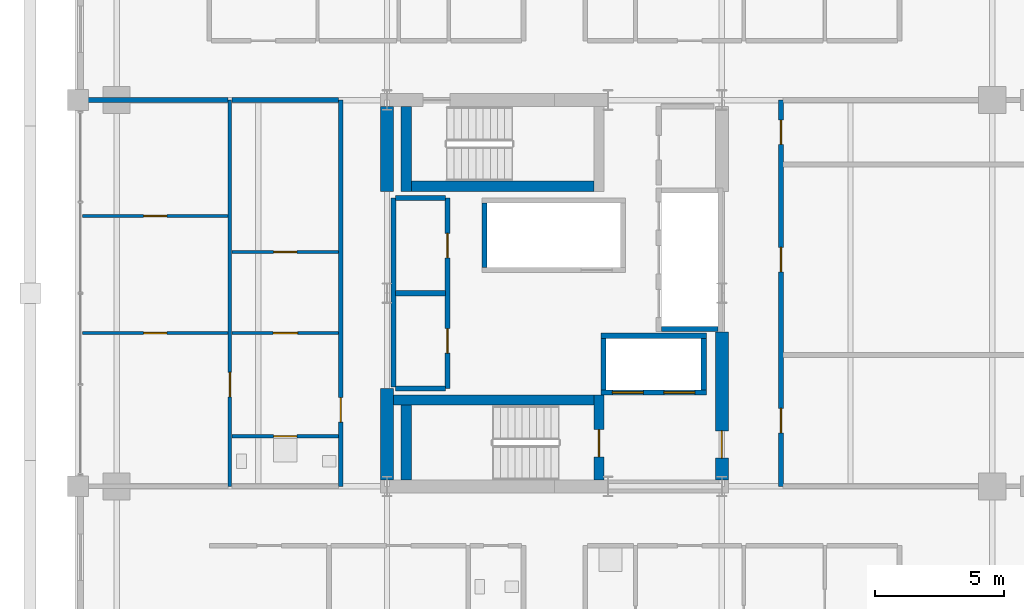
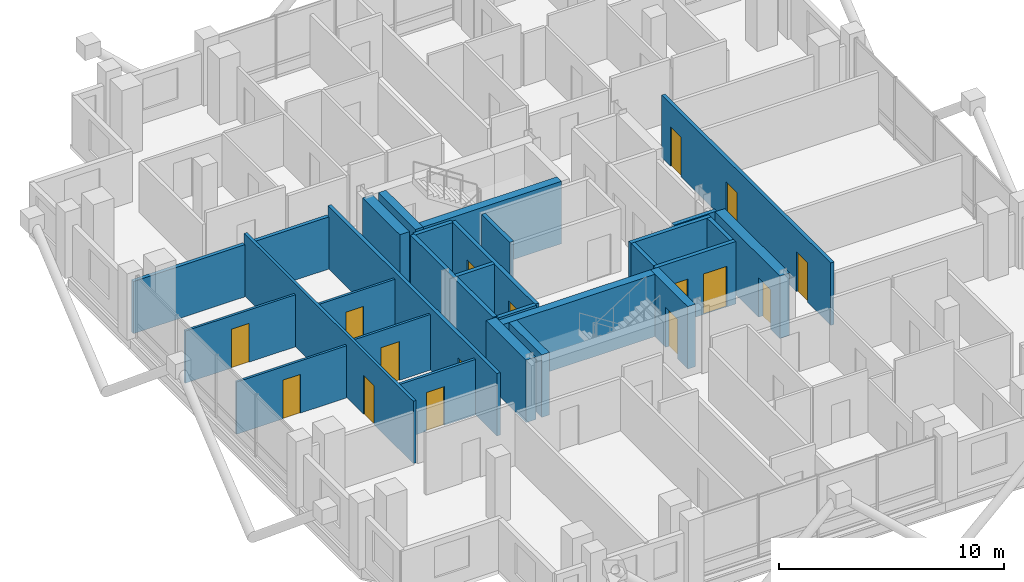
# One storey, part 19 of 24: 29 walls, 16 doors, 16 openings.
"""IFC4 building model written with IfcOpenShell, lengths in metres."""

from ifc_helpers import new_model, si_unit, direction, frame, frame_2d, origin, place, context, subcontext, project, spatial, rectangle, extrude, material, layer, layer_set, type_object, element, fill, save


model = new_model("IFC4")

# Units and contexts
model_context = context("Model", 3, precision=1e-05, world=origin(), true_north=direction((0.0, 1.0)))
body_context = subcontext(model_context, "Body", "Model", "MODEL_VIEW")
ifc_project = project(units=[si_unit("LENGTHUNIT", "METRE"), si_unit("AREAUNIT", "SQUARE_METRE"), si_unit("VOLUMEUNIT", "CUBIC_METRE"), si_unit("PLANEANGLEUNIT", "RADIAN"), si_unit("MASSUNIT", "GRAM", prefix="KILO")], contexts=[model_context])

# Site, building, storey
site_placement = place(None, origin())
site = spatial("IfcSite", under=ifc_project, at=site_placement, CompositionType="ELEMENT")
building_placement = place(site_placement, origin())
building = spatial("IfcBuilding", under=site, at=building_placement, Name="Barlavira Tower and Art Museum", CompositionType="ELEMENT")
storey_placement = place(building_placement, frame((0.0, 0.0, 183.60009765625)))
storey = spatial("IfcBuildingStorey", under=building, at=storey_placement, Name="L47", CompositionType="ELEMENT", Elevation=183.60009765625)

# Wall, opening, door
ifc_material_1 = material(Name="Gypsum acoustic stud partition", Category="gypsum")
ifc_layer_1 = layer(ifc_material_1, 0.1201171875, Name="Gypsum acoustic stud partition")
ifc_layer_set_1 = layer_set([ifc_layer_1], Name="Gypsum acoustic stud partition")
wall_type_1 = type_object("IfcWallType", Name="Apartment Internal Acoustic Partition 120", PredefinedType="PARTITIONING", material=ifc_layer_set_1)
wall_1_placement = place(storey_placement, frame((-18.320068359375, -1.550048828125, 0.0), z_axis=(0.0, 0.0, 1.0), x_axis=(1.0, 0.0, 0.0)))
wall_1 = element("IfcWall", 1, at=wall_1_placement, inside=storey, type_object=wall_type_1, Name="L47 Partition Wall 47", PredefinedType="PARTITIONING", context=body_context, shape_type="SweptSolid", body=[
    extrude(rectangle(XDim=5.64013671875, YDim=0.1201171875, at=frame_2d((2.820068359375, 0.0))), origin(), (0.0, 0.0, 1.0), 2.825927734375),
])
opening_1_placement = place(wall_1_placement, frame((2.3701171875, 0.0, 0.0)))
opening_1 = element("IfcOpeningElement", 2, at=opening_1_placement, cuts=wall_1, Name="Opening D-01", PredefinedType="OPENING", context=body_context, shape_type="SweptSolid", body=[
    extrude(rectangle(XDim=0.89990234375, YDim=2.10009765625, at=frame_2d((0.449951171875, 1.050048828125))), frame((0.0, 0.070068359375, 0.0), z_axis=(0.0, -1.0, 0.0), x_axis=(1.0, 0.0, 0.0)), (0.0, 0.0, 1.0), 0.14013671875),
])
ifc_material_2 = material(Name="Engineered coastal hardwood", Category="wood")
door_type_1 = type_object("IfcDoorType", Name="Internal Bedroom Timber Flush Door 900x2100", OperationType="NOTDEFINED", PredefinedType="DOOR", material=ifc_material_2)
door_1_placement = place(opening_1_placement, origin())
door_1 = element("IfcDoor", 3, at=door_1_placement, inside=storey, type_object=door_type_1, Name="Apartment W1 Bedroom 1 Door", OperationType="SINGLE_SWING_LEFT", OverallHeight=2.10009765625, OverallWidth=0.89990234375, PredefinedType="DOOR", context=body_context, shape_type="SweptSolid", body=[
    extrude(rectangle(XDim=0.89990234375, YDim=2.10009765625, at=frame_2d((0.449951171875, 1.050048828125))), frame((0.0, 0.02490234375, 0.0), z_axis=(0.0, -1.0, 0.0), x_axis=(1.0, 0.0, 0.0)), (0.0, 0.0, 1.0), 0.050048828125),
])
fill(opening_1, door_1)

wall_2_placement = place(storey_placement, frame((-12.52001953125, -1.550048828125, 0.0), z_axis=(0.0, 0.0, 1.0), x_axis=(1.0, 0.0, 0.0)))
wall_2 = element("IfcWall", 4, at=wall_2_placement, inside=storey, type_object=wall_type_1, Name="L47 Partition Wall 48", PredefinedType="PARTITIONING", context=body_context, shape_type="SweptSolid", body=[
    extrude(rectangle(XDim=4.14013671875, YDim=0.1201171875, at=frame_2d((2.070068359375, 0.0))), origin(), (0.0, 0.0, 1.0), 3.010986328125),
])
opening_2_placement = place(wall_2_placement, frame((1.594970703125, 0.0, 0.0)))
opening_2 = element("IfcOpeningElement", 5, at=opening_2_placement, cuts=wall_2, Name="Opening D-02", PredefinedType="OPENING", context=body_context, shape_type="SweptSolid", body=[
    extrude(rectangle(XDim=0.949951171875, YDim=2.10009765625, at=frame_2d((0.47509765625, 1.050048828125))), frame((0.0, 0.070068359375, 0.0), z_axis=(0.0, -1.0, 0.0), x_axis=(1.0, 0.0, 0.0)), (0.0, 0.0, 1.0), 0.14013671875),
])
door_type_2 = type_object("IfcDoorType", Name="Living and Salon Glazed-Leaf Door 950x2100", OperationType="NOTDEFINED", PredefinedType="DOOR", material=ifc_material_2)
door_2_placement = place(opening_2_placement, origin())
door_2 = element("IfcDoor", 6, at=door_2_placement, inside=storey, type_object=door_type_2, Name="Apartment W1 Kitchen Door", OperationType="SINGLE_SWING_RIGHT", OverallHeight=2.10009765625, OverallWidth=0.949951171875, PredefinedType="DOOR", context=body_context, shape_type="SweptSolid", body=[
    extrude(rectangle(XDim=0.949951171875, YDim=2.10009765625, at=frame_2d((0.47509765625, 1.050048828125))), frame((0.0, 0.02490234375, 0.0), z_axis=(0.0, -1.0, 0.0), x_axis=(1.0, 0.0, 0.0)), (0.0, 0.0, 1.0), 0.050048828125),
])
fill(opening_2, door_2)

wall_3_placement = place(storey_placement, frame((-12.52001953125, 1.60009765625, 0.0), z_axis=(0.0, 0.0, 1.0), x_axis=(1.0, 0.0, 0.0)))
wall_3 = element("IfcWall", 7, at=wall_3_placement, inside=storey, type_object=wall_type_1, Name="L47 Partition Wall 50", PredefinedType="PARTITIONING", context=body_context, shape_type="SweptSolid", body=[
    extrude(rectangle(XDim=4.14013671875, YDim=0.1201171875, at=frame_2d((2.070068359375, 0.0))), origin(), (0.0, 0.0, 1.0), 3.010986328125),
])
opening_3_placement = place(wall_3_placement, frame((1.6201171875, 0.0, 0.0)))
opening_3 = element("IfcOpeningElement", 8, at=opening_3_placement, cuts=wall_3, Name="Opening D-01", PredefinedType="OPENING", context=body_context, shape_type="SweptSolid", body=[
    extrude(rectangle(XDim=0.89990234375, YDim=2.10009765625, at=frame_2d((0.449951171875, 1.050048828125))), frame((0.0, 0.070068359375, 0.0), z_axis=(0.0, -1.0, 0.0), x_axis=(1.0, 0.0, 0.0)), (0.0, 0.0, 1.0), 0.14013671875),
])
door_3_placement = place(opening_3_placement, origin())
door_3 = element("IfcDoor", 9, at=door_3_placement, inside=storey, type_object=door_type_1, Name="Apartment W1 Walk-In Dressing Room Door", OperationType="SINGLE_SWING_LEFT", OverallHeight=2.10009765625, OverallWidth=0.89990234375, PredefinedType="DOOR", context=body_context, shape_type="SweptSolid", body=[
    extrude(rectangle(XDim=0.89990234375, YDim=2.10009765625, at=frame_2d((0.449951171875, 1.050048828125))), frame((0.0, 0.02490234375, 0.0), z_axis=(0.0, -1.0, 0.0), x_axis=(1.0, 0.0, 0.0)), (0.0, 0.0, 1.0), 0.050048828125),
])
fill(opening_3, door_3)

wall_4_placement = place(storey_placement, frame((-18.320068359375, 3.0, 0.0), z_axis=(0.0, 0.0, 1.0), x_axis=(1.0, 0.0, 0.0)))
wall_4 = element("IfcWall", 10, at=wall_4_placement, inside=storey, type_object=wall_type_1, Name="L47 Partition Wall 51", PredefinedType="PARTITIONING", context=body_context, shape_type="SweptSolid", body=[
    extrude(rectangle(XDim=5.64013671875, YDim=0.1201171875, at=frame_2d((2.820068359375, 0.0))), origin(), (0.0, 0.0, 1.0), 2.825927734375),
])
opening_4_placement = place(wall_4_placement, frame((2.3701171875, 0.0, 0.0)))
opening_4 = element("IfcOpeningElement", 11, at=opening_4_placement, cuts=wall_4, Name="Opening D-01", PredefinedType="OPENING", context=body_context, shape_type="SweptSolid", body=[
    extrude(rectangle(XDim=0.89990234375, YDim=2.10009765625, at=frame_2d((0.449951171875, 1.050048828125))), frame((0.0, 0.070068359375, 0.0), z_axis=(0.0, -1.0, 0.0), x_axis=(1.0, 0.0, 0.0)), (0.0, 0.0, 1.0), 0.14013671875),
])
door_4_placement = place(opening_4_placement, origin())
door_4 = element("IfcDoor", 12, at=door_4_placement, inside=storey, type_object=door_type_1, Name="Apartment W1 Bedroom 2 Door", OperationType="SINGLE_SWING_RIGHT", OverallHeight=2.10009765625, OverallWidth=0.89990234375, PredefinedType="DOOR", context=body_context, shape_type="SweptSolid", body=[
    extrude(rectangle(XDim=0.89990234375, YDim=2.10009765625, at=frame_2d((0.449951171875, 1.050048828125))), frame((0.0, 0.02490234375, 0.0), z_axis=(0.0, -1.0, 0.0), x_axis=(1.0, 0.0, 0.0)), (0.0, 0.0, 1.0), 0.050048828125),
])
fill(opening_4, door_4)

# Walls
ifc_material_3 = material(Name="Concrete C60", Category="concrete")
ifc_layer_2 = layer(ifc_material_3, 0.5, Name="Concrete C60")
ifc_layer_set_2 = layer_set([ifc_layer_2], Name="Concrete C60")
wall_type_2 = type_object("IfcWallType", Name="Core Structural Shear Wall 500 Concrete C60", PredefinedType="SHEAR", material=ifc_layer_set_2)
wall_5_placement = place(storey_placement, frame((-6.5, -7.25, 0.0), z_axis=(0.0, 0.0, 1.0), x_axis=(0.0, 1.0, 0.0)))
element("IfcWall", 13, at=wall_5_placement, inside=storey, type_object=wall_type_2, Name="L47 Core Shear Wall CS-W1", PredefinedType="SHEAR", context=body_context, shape_type="SweptSolid", body=[
    extrude(rectangle(XDim=3.550048828125, YDim=0.5, at=frame_2d((1.77490234375, 0.0))), origin(), (0.0, 0.0, 1.0), 3.3798828125),
])
wall_6_placement = place(storey_placement, frame((-6.5, 3.949951171875, 0.0), z_axis=(0.0, 0.0, 1.0), x_axis=(0.0, 1.0, 0.0)))
element("IfcWall", 14, at=wall_6_placement, inside=storey, type_object=wall_type_2, Name="L47 Core Shear Wall CS-W2", PredefinedType="SHEAR", context=body_context, shape_type="SweptSolid", body=[
    extrude(rectangle(XDim=3.300048828125, YDim=0.5, at=frame_2d((1.64990234375, 0.0))), origin(), (0.0, 0.0, 1.0), 3.3798828125),
])

# Wall, opening, door
wall_7_placement = place(storey_placement, frame((6.5, -7.25, 0.0), z_axis=(0.0, 0.0, 1.0), x_axis=(0.0, 1.0, 0.0)))
wall_7 = element("IfcWall", 15, at=wall_7_placement, inside=storey, type_object=wall_type_2, Name="L47 Core Shear Wall CS-E1", PredefinedType="SHEAR", context=body_context, shape_type="SweptSolid", body=[
    extrude(rectangle(XDim=5.75, YDim=0.5, at=frame_2d((2.875, 0.0))), origin(), (0.0, 0.0, 1.0), 3.3798828125),
])
opening_5_placement = place(wall_7_placement, frame((0.85009765625, 0.0, 0.0)))
opening_5 = element("IfcOpeningElement", 16, at=opening_5_placement, cuts=wall_7, Name="Opening FD-90", PredefinedType="OPENING", context=body_context, shape_type="SweptSolid", body=[
    extrude(rectangle(XDim=1.050048828125, YDim=2.14990234375, at=frame_2d((0.52490234375, 1.074951171875))), frame((0.0, 0.260009765625, 0.0), z_axis=(0.0, -1.0, 0.0), x_axis=(1.0, 0.0, 0.0)), (0.0, 0.0, 1.0), 0.52001953125),
])
ifc_material_4 = material(Name="Brushed stainless steel", Category="steel")
door_type_3 = type_object("IfcDoorType", Name="Stair and Refuge Fire Door 1050x2150 FD90S", OperationType="NOTDEFINED", PredefinedType="DOOR", material=ifc_material_4)
door_5_placement = place(opening_5_placement, origin())
door_5 = element("IfcDoor", 17, at=door_5_placement, inside=storey, type_object=door_type_3, Name="L47 Firefighting Lobby Entry Fire Door", OperationType="SINGLE_SWING_LEFT", OverallHeight=2.14990234375, OverallWidth=1.050048828125, PredefinedType="DOOR", context=body_context, shape_type="SweptSolid", body=[
    extrude(rectangle(XDim=1.050048828125, YDim=2.14990234375, at=frame_2d((0.52490234375, 1.074951171875))), frame((0.0, 0.02490234375, 0.0), z_axis=(0.0, -1.0, 0.0), x_axis=(1.0, 0.0, 0.0)), (0.0, 0.0, 1.0), 0.050048828125),
])
fill(opening_5, door_5)

# Walls
ifc_material_5 = material(Name="Autoclaved aerated concrete masonry", Category="masonry")
ifc_layer_3 = layer(ifc_material_5, 0.199951171875, Name="Autoclaved aerated concrete masonry")
ifc_layer_set_3 = layer_set([ifc_layer_3], Name="Autoclaved aerated concrete masonry")
wall_type_3 = type_object("IfcWallType", Name="Fire Compartment and Shaft Wall 200", PredefinedType="SOLIDWALL", material=ifc_layer_set_3)
wall_8_placement = place(storey_placement, frame((4.14990234375, -1.389892578125, 0.0), z_axis=(0.0, 0.0, 1.0), x_axis=(1.0, 0.0, 0.0)))
element("IfcWall", 18, at=wall_8_placement, inside=storey, type_object=wall_type_3, Name="L47 Mid-Rise Lift South Shaft Wall", PredefinedType="SOLIDWALL", context=body_context, shape_type="SweptSolid", body=[
    extrude(rectangle(XDim=2.2001953125, YDim=0.199951171875, at=frame_2d((1.10009765625, 0.0))), origin(), (0.0, 0.0, 1.0), 3.3798828125),
])
wall_9_placement = place(storey_placement, frame((-2.719970703125, 1.0, 0.0), z_axis=(0.0, 0.0, 1.0), x_axis=(0.0, 1.0, 0.0)))
element("IfcWall", 19, at=wall_9_placement, inside=storey, type_object=wall_type_3, Name="L47 High-Rise & Service Lift West Wall", PredefinedType="SOLIDWALL", context=body_context, shape_type="SweptSolid", body=[
    extrude(rectangle(XDim=2.5, YDim=0.199951171875, at=frame_2d((1.25, 0.0))), origin(), (0.0, 0.0, 1.0), 3.3798828125),
])

# Wall, openings, doors
wall_10_placement = place(storey_placement, frame((1.800048828125, -3.85009765625, 0.0), z_axis=(0.0, 0.0, 1.0), x_axis=(1.0, 0.0, 0.0)))
wall_10 = element("IfcWall", 20, at=wall_10_placement, inside=storey, type_object=wall_type_3, Name="L47 Firefighting Lift Front Shaft Wall", PredefinedType="SOLIDWALL", context=body_context, shape_type="SweptSolid", body=[
    extrude(rectangle(XDim=4.099853515625, YDim=0.199951171875, at=frame_2d((2.0498046875, 0.0))), origin(), (0.0, 0.0, 1.0), 3.3798828125),
])
opening_6_placement = place(wall_10_placement, frame((0.449951171875, 0.0, 0.0)))
opening_6 = element("IfcOpeningElement", 21, at=opening_6_placement, cuts=wall_10, Name="Opening LD-F", PredefinedType="OPENING", context=body_context, shape_type="SweptSolid", body=[
    extrude(rectangle(XDim=1.199951171875, YDim=2.199951171875, at=frame_2d((0.60009765625, 1.10009765625))), frame((0.0, 0.10986328125, 0.0), z_axis=(0.0, -1.0, 0.0), x_axis=(1.0, 0.0, 0.0)), (0.0, 0.0, 1.0), 0.219970703125),
])
opening_7_placement = place(wall_10_placement, frame((2.449951171875, 0.0, 0.0)))
opening_7 = element("IfcOpeningElement", 22, at=opening_7_placement, cuts=wall_10, Name="Opening LD-F", PredefinedType="OPENING", context=body_context, shape_type="SweptSolid", body=[
    extrude(rectangle(XDim=1.199951171875, YDim=2.199951171875, at=frame_2d((0.60009765625, 1.10009765625))), frame((0.0, 0.10986328125, 0.0), z_axis=(0.0, -1.0, 0.0), x_axis=(1.0, 0.0, 0.0)), (0.0, 0.0, 1.0), 0.219970703125),
])
door_type_4 = type_object("IfcDoorType", Name="Firefighting and Service Lift Sliding Door 1200x2200 FD120", OperationType="NOTDEFINED", PredefinedType="DOOR", material=ifc_material_4)
door_6_placement = place(opening_6_placement, origin())
door_6 = element("IfcDoor", 23, at=door_6_placement, inside=storey, type_object=door_type_4, Name="L47 Firefighting Lift FF1 Sliding Door", OperationType="DOUBLE_DOOR_SLIDING", OverallHeight=2.199951171875, OverallWidth=1.199951171875, PredefinedType="DOOR", context=body_context, shape_type="SweptSolid", body=[
    extrude(rectangle(XDim=1.199951171875, YDim=2.199951171875, at=frame_2d((0.60009765625, 1.10009765625))), frame((0.0, 0.02490234375, 0.0), z_axis=(0.0, -1.0, 0.0), x_axis=(1.0, 0.0, 0.0)), (0.0, 0.0, 1.0), 0.050048828125),
])
fill(opening_6, door_6)
door_7_placement = place(opening_7_placement, origin())
door_7 = element("IfcDoor", 24, at=door_7_placement, inside=storey, type_object=door_type_4, Name="L47 Firefighting Lift FF2 Sliding Door", OperationType="DOUBLE_DOOR_SLIDING", OverallHeight=2.199951171875, OverallWidth=1.199951171875, PredefinedType="DOOR", context=body_context, shape_type="SweptSolid", body=[
    extrude(rectangle(XDim=1.199951171875, YDim=2.199951171875, at=frame_2d((0.60009765625, 1.10009765625))), frame((0.0, 0.02490234375, 0.0), z_axis=(0.0, -1.0, 0.0), x_axis=(1.0, 0.0, 0.0)), (0.0, 0.0, 1.0), 0.050048828125),
])
fill(opening_7, door_7)

# Walls
wall_11_placement = place(storey_placement, frame((1.800048828125, -1.64990234375, 0.0), z_axis=(0.0, 0.0, 1.0), x_axis=(1.0, 0.0, 0.0)))
element("IfcWall", 25, at=wall_11_placement, inside=storey, type_object=wall_type_3, Name="L47 Firefighting Lift Back Shaft Wall", PredefinedType="SOLIDWALL", context=body_context, shape_type="SweptSolid", body=[
    extrude(rectangle(XDim=4.099853515625, YDim=0.199951171875, at=frame_2d((2.0498046875, 0.0))), origin(), (0.0, 0.0, 1.0), 3.3798828125),
])
for number, where, z_axis, x_axis, name in (
    (26, (1.89990234375, -3.75, 0.0), (0.0, 0.0, 1.0), (0.0, 1.0, 0.0), "L47 Firefighting Lift West Shaft Wall"),
    (27, (5.800048828125, -3.75, 0.0), (0.0, 0.0, 1.0), (0.0, 1.0, 0.0), "L47 Firefighting Lift East Shaft Wall"),
):
    element("IfcWall", number, at=place(storey_placement, frame(where, z_axis=z_axis, x_axis=x_axis)), inside=storey, type_object=wall_type_3, Name=name, PredefinedType="SOLIDWALL", context=body_context, shape_type="SweptSolid", body=[
        extrude(rectangle(XDim=2.0, YDim=0.199951171875, at=frame_2d((1.0, 0.0))), origin(), (0.0, 0.0, 1.0), 3.3798828125),
    ])
wall_12_placement = place(storey_placement, frame((-6.25, -3.639892578125, 0.0), z_axis=(0.0, 0.0, 1.0), x_axis=(0.0, 1.0, 0.0)))
element("IfcWall", 28, at=wall_12_placement, inside=storey, type_object=wall_type_3, Name="L47 Partition Wall 6", PredefinedType="SOLIDWALL", context=body_context, shape_type="SweptSolid", body=[
    extrude(rectangle(XDim=7.33984375, YDim=0.199951171875, at=frame_2d((3.669921875, 0.0))), origin(), (0.0, 0.0, 1.0), 3.3798828125),
])

# Wall, openings, doors
wall_13_placement = place(storey_placement, frame((-4.14990234375, -3.699951171875, 0.0), z_axis=(0.0, 0.0, 1.0), x_axis=(0.0, 1.0, 0.0)))
wall_13 = element("IfcWall", 29, at=wall_13_placement, inside=storey, type_object=wall_type_3, Name="L47 Partition Wall 8", PredefinedType="SOLIDWALL", context=body_context, shape_type="SweptSolid", body=[
    extrude(rectangle(XDim=7.39990234375, YDim=0.199951171875, at=frame_2d((3.699951171875, 0.0))), origin(), (0.0, 0.0, 1.0), 3.3798828125),
])
opening_8_placement = place(wall_13_placement, frame((1.375, 0.0, 0.0)))
opening_8 = element("IfcOpeningElement", 30, at=opening_8_placement, cuts=wall_13, Name="Opening FD-60", PredefinedType="OPENING", context=body_context, shape_type="SweptSolid", body=[
    extrude(rectangle(XDim=0.949951171875, YDim=2.14990234375, at=frame_2d((0.47509765625, 1.074951171875))), frame((0.0, 0.10986328125, 0.0), z_axis=(0.0, -1.0, 0.0), x_axis=(1.0, 0.0, 0.0)), (0.0, 0.0, 1.0), 0.219970703125),
])
opening_9_placement = place(wall_13_placement, frame((5.074951171875, 0.0, 0.0)))
opening_9 = element("IfcOpeningElement", 31, at=opening_9_placement, cuts=wall_13, Name="Opening FD-60", PredefinedType="OPENING", context=body_context, shape_type="SweptSolid", body=[
    extrude(rectangle(XDim=0.949951171875, YDim=2.14990234375, at=frame_2d((0.47509765625, 1.074951171875))), frame((0.0, 0.10986328125, 0.0), z_axis=(0.0, -1.0, 0.0), x_axis=(1.0, 0.0, 0.0)), (0.0, 0.0, 1.0), 0.219970703125),
])
door_type_5 = type_object("IfcDoorType", Name="Apartment Entrance and Riser Fire Door 950x2150 FD60S", OperationType="NOTDEFINED", PredefinedType="DOOR", material=ifc_material_4)
door_8_placement = place(opening_8_placement, origin())
door_8 = element("IfcDoor", 32, at=door_8_placement, inside=storey, type_object=door_type_5, Name="Reclaimed Core Linen and Amenity Store Door", OperationType="SINGLE_SWING_LEFT", OverallHeight=2.14990234375, OverallWidth=0.949951171875, PredefinedType="DOOR", context=body_context, shape_type="SweptSolid", body=[
    extrude(rectangle(XDim=0.949951171875, YDim=2.14990234375, at=frame_2d((0.47509765625, 1.074951171875))), frame((0.0, 0.02490234375, 0.0), z_axis=(0.0, -1.0, 0.0), x_axis=(1.0, 0.0, 0.0)), (0.0, 0.0, 1.0), 0.050048828125),
])
fill(opening_8, door_8)
door_9_placement = place(opening_9_placement, origin())
door_9 = element("IfcDoor", 33, at=door_9_placement, inside=storey, type_object=door_type_5, Name="Reclaimed Core Telecom and BMS Room Door", OperationType="SINGLE_SWING_RIGHT", OverallHeight=2.14990234375, OverallWidth=0.949951171875, PredefinedType="DOOR", context=body_context, shape_type="SweptSolid", body=[
    extrude(rectangle(XDim=0.949951171875, YDim=2.14990234375, at=frame_2d((0.47509765625, 1.074951171875))), frame((0.0, 0.02490234375, 0.0), z_axis=(0.0, -1.0, 0.0), x_axis=(1.0, 0.0, 0.0)), (0.0, 0.0, 1.0), 0.050048828125),
])
fill(opening_9, door_9)

# Walls
for number, where, z_axis, x_axis, name in (
    (34, (-6.169921875, -3.699951171875, 0.0), (0.0, 0.0, 1.0), (1.0, 0.0, 0.0), "L47 Partition Wall 45"),
    (35, (-6.169921875, 0.0, 0.0), (0.0, 0.0, 1.0), (1.0, 0.0, 0.0), "L47 Partition Wall 49"),
    (36, (-6.169921875, 3.699951171875, 0.0), (0.0, 0.0, 1.0), (1.0, 0.0, 0.0), "L47 Partition Wall 52"),
):
    element("IfcWall", number, at=place(storey_placement, frame(where, z_axis=z_axis, x_axis=x_axis)), inside=storey, type_object=wall_type_3, Name=name, PredefinedType="SOLIDWALL", context=body_context, shape_type="SweptSolid", body=[
        extrude(rectangle(XDim=1.93994140625, YDim=0.199951171875, at=frame_2d((0.969970703125, 0.0))), origin(), (0.0, 0.0, 1.0), 3.3798828125),
    ])

# Wall, opening, door
ifc_layer_4 = layer(ifc_material_1, 0.179931640625, Name="Gypsum acoustic stud partition")
ifc_layer_set_4 = layer_set([ifc_layer_4], Name="Gypsum acoustic stud partition")
wall_type_4 = type_object("IfcWallType", Name="Inter-Tenancy Party Partition Wall 180", PredefinedType="PARTITIONING", material=ifc_layer_set_4)
wall_14_placement = place(storey_placement, frame((-8.300048828125, -7.5, 0.0), z_axis=(0.0, 0.0, 1.0), x_axis=(0.0, 1.0, 0.0)))
wall_14 = element("IfcWall", 37, at=wall_14_placement, inside=storey, type_object=wall_type_4, Name="L47 Partition Wall 5", PredefinedType="PARTITIONING", context=body_context, shape_type="SweptSolid", body=[
    extrude(rectangle(XDim=15.0, YDim=0.179931640625, at=frame_2d((7.5, 0.0))), origin(), (0.0, 0.0, 1.0), 3.3798828125),
])
opening_10_placement = place(wall_14_placement, frame((2.4951171875, 0.0, 0.0)))
opening_10 = element("IfcOpeningElement", 38, at=opening_10_placement, cuts=wall_14, Name="Opening FD-60", PredefinedType="OPENING", context=body_context, shape_type="SweptSolid", body=[
    extrude(rectangle(XDim=0.949951171875, YDim=2.14990234375, at=frame_2d((0.47509765625, 1.074951171875))), frame((0.0, 0.10009765625, 0.0), z_axis=(0.0, -1.0, 0.0), x_axis=(1.0, 0.0, 0.0)), (0.0, 0.0, 1.0), 0.199951171875),
])
door_10_placement = place(opening_10_placement, origin())
door_10 = element("IfcDoor", 39, at=door_10_placement, inside=storey, type_object=door_type_5, Name="Apartment Entrance Hall W1 Door", OperationType="SINGLE_SWING_LEFT", OverallHeight=2.14990234375, OverallWidth=0.949951171875, PredefinedType="DOOR", context=body_context, shape_type="SweptSolid", body=[
    extrude(rectangle(XDim=0.949951171875, YDim=2.14990234375, at=frame_2d((0.47509765625, 1.074951171875))), frame((0.0, 0.02490234375, 0.0), z_axis=(0.0, -1.0, 0.0), x_axis=(1.0, 0.0, 0.0)), (0.0, 0.0, 1.0), 0.050048828125),
])
fill(opening_10, door_10)

# Wall, openings, doors
wall_15_placement = place(storey_placement, frame((8.800048828125, -7.5, 0.0), z_axis=(0.0, 0.0, 1.0), x_axis=(0.0, 1.0, 0.0)))
wall_15 = element("IfcWall", 40, at=wall_15_placement, inside=storey, type_object=wall_type_4, Name="L47 Partition Wall 22", PredefinedType="PARTITIONING", context=body_context, shape_type="SweptSolid", body=[
    extrude(rectangle(XDim=15.0, YDim=0.179931640625, at=frame_2d((7.5, 0.0))), origin(), (0.0, 0.0, 1.0), 3.3798828125),
])
opening_11_placement = place(wall_15_placement, frame((2.074951171875, 0.0, 0.0)))
opening_11 = element("IfcOpeningElement", 41, at=opening_11_placement, cuts=wall_15, Name="Opening FD-60", PredefinedType="OPENING", context=body_context, shape_type="SweptSolid", body=[
    extrude(rectangle(XDim=0.949951171875, YDim=2.14990234375, at=frame_2d((0.47509765625, 1.074951171875))), frame((0.0, 0.10009765625, 0.0), z_axis=(0.0, -1.0, 0.0), x_axis=(1.0, 0.0, 0.0)), (0.0, 0.0, 1.0), 0.199951171875),
])
opening_12_placement = place(wall_15_placement, frame((8.324951171875, 0.0, 0.0)))
opening_12 = element("IfcOpeningElement", 42, at=opening_12_placement, cuts=wall_15, Name="Opening FD-60", PredefinedType="OPENING", context=body_context, shape_type="SweptSolid", body=[
    extrude(rectangle(XDim=0.949951171875, YDim=2.14990234375, at=frame_2d((0.47509765625, 1.074951171875))), frame((0.0, 0.10009765625, 0.0), z_axis=(0.0, -1.0, 0.0), x_axis=(1.0, 0.0, 0.0)), (0.0, 0.0, 1.0), 0.199951171875),
])
opening_13_placement = place(wall_15_placement, frame((13.27490234375, 0.0, 0.0)))
opening_13 = element("IfcOpeningElement", 43, at=opening_13_placement, cuts=wall_15, Name="Opening FD-60", PredefinedType="OPENING", context=body_context, shape_type="SweptSolid", body=[
    extrude(rectangle(XDim=0.949951171875, YDim=2.14990234375, at=frame_2d((0.47509765625, 1.074951171875))), frame((0.0, 0.10009765625, 0.0), z_axis=(0.0, -1.0, 0.0), x_axis=(1.0, 0.0, 0.0)), (0.0, 0.0, 1.0), 0.199951171875),
])
door_11_placement = place(opening_11_placement, origin())
door_11 = element("IfcDoor", 44, at=door_11_placement, inside=storey, type_object=door_type_5, Name="Resident Art Collectors Salon Door", OperationType="SINGLE_SWING_LEFT", OverallHeight=2.14990234375, OverallWidth=0.949951171875, PredefinedType="DOOR", context=body_context, shape_type="SweptSolid", body=[
    extrude(rectangle(XDim=0.949951171875, YDim=2.14990234375, at=frame_2d((0.47509765625, 1.074951171875))), frame((0.0, 0.02490234375, 0.0), z_axis=(0.0, -1.0, 0.0), x_axis=(1.0, 0.0, 0.0)), (0.0, 0.0, 1.0), 0.050048828125),
])
fill(opening_11, door_11)
door_12_placement = place(opening_12_placement, origin())
door_12 = element("IfcDoor", 45, at=door_12_placement, inside=storey, type_object=door_type_5, Name="Sculpture and Painting Workshop Door", OperationType="SINGLE_SWING_RIGHT", OverallHeight=2.14990234375, OverallWidth=0.949951171875, PredefinedType="DOOR", context=body_context, shape_type="SweptSolid", body=[
    extrude(rectangle(XDim=0.949951171875, YDim=2.14990234375, at=frame_2d((0.47509765625, 1.074951171875))), frame((0.0, 0.02490234375, 0.0), z_axis=(0.0, -1.0, 0.0), x_axis=(1.0, 0.0, 0.0)), (0.0, 0.0, 1.0), 0.050048828125),
])
fill(opening_12, door_12)
door_13_placement = place(opening_13_placement, origin())
door_13 = element("IfcDoor", 46, at=door_13_placement, inside=storey, type_object=door_type_5, Name="Climate-Controlled Wine Tasting Room Door", OperationType="SINGLE_SWING_LEFT", OverallHeight=2.14990234375, OverallWidth=0.949951171875, PredefinedType="DOOR", context=body_context, shape_type="SweptSolid", body=[
    extrude(rectangle(XDim=0.949951171875, YDim=2.14990234375, at=frame_2d((0.47509765625, 1.074951171875))), frame((0.0, 0.02490234375, 0.0), z_axis=(0.0, -1.0, 0.0), x_axis=(1.0, 0.0, 0.0)), (0.0, 0.0, 1.0), 0.050048828125),
])
fill(opening_13, door_13)

# Walls
wall_16_placement = place(storey_placement, frame((-18.39990234375, 7.5, 0.0), z_axis=(0.0, 0.0, 1.0), x_axis=(1.0, 0.0, 0.0)))
element("IfcWall", 47, at=wall_16_placement, inside=storey, type_object=wall_type_4, Name="L47 Partition Wall 55", PredefinedType="PARTITIONING", context=body_context, shape_type="SweptSolid", body=[
    extrude(rectangle(XDim=5.719970703125, YDim=0.179931640625, at=frame_2d((2.85986328125, 0.0))), origin(), (0.0, 0.0, 1.0), 2.825927734375),
])
wall_17_placement = place(storey_placement, frame((-12.52001953125, 7.5, 0.0), z_axis=(0.0, 0.0, 1.0), x_axis=(1.0, 0.0, 0.0)))
element("IfcWall", 48, at=wall_17_placement, inside=storey, type_object=wall_type_4, Name="L47 Partition Wall 56", PredefinedType="PARTITIONING", context=body_context, shape_type="SweptSolid", body=[
    extrude(rectangle(XDim=4.14013671875, YDim=0.179931640625, at=frame_2d((2.070068359375, 0.0))), origin(), (0.0, 0.0, 1.0), 2.825927734375),
])

# Wall, opening, door
ifc_layer_5 = layer(ifc_material_1, 0.139892578125, Name="Gypsum acoustic stud partition")
ifc_layer_set_5 = layer_set([ifc_layer_5], Name="Gypsum acoustic stud partition")
wall_type_5 = type_object("IfcWallType", Name="Moisture-Resistant Bathroom Partition 140", PredefinedType="PARTITIONING", material=ifc_layer_set_5)
wall_18_placement = place(storey_placement, frame((-12.60009765625, -7.5, 0.0), z_axis=(0.0, 0.0, 1.0), x_axis=(0.0, 1.0, 0.0)))
wall_18 = element("IfcWall", 49, at=wall_18_placement, inside=storey, type_object=wall_type_5, Name="L47 Partition Wall 2", PredefinedType="PARTITIONING", context=body_context, shape_type="SweptSolid", body=[
    extrude(rectangle(XDim=15.0, YDim=0.139892578125, at=frame_2d((7.5, 0.0))), origin(), (0.0, 0.0, 1.0), 3.3798828125),
])
opening_14_placement = place(wall_18_placement, frame((3.47509765625, 0.0, 0.0)))
opening_14 = element("IfcOpeningElement", 50, at=opening_14_placement, cuts=wall_18, Name="Opening D-02", PredefinedType="OPENING", context=body_context, shape_type="SweptSolid", body=[
    extrude(rectangle(XDim=0.949951171875, YDim=2.10009765625, at=frame_2d((0.47509765625, 1.050048828125))), frame((0.0, 0.080078125, 0.0), z_axis=(0.0, -1.0, 0.0), x_axis=(1.0, 0.0, 0.0)), (0.0, 0.0, 1.0), 0.159912109375),
])
door_14_placement = place(opening_14_placement, origin())
door_14 = element("IfcDoor", 51, at=door_14_placement, inside=storey, type_object=door_type_2, Name="Apartment W1 Living Lounge Door", OperationType="SINGLE_SWING_RIGHT", OverallHeight=2.10009765625, OverallWidth=0.949951171875, PredefinedType="DOOR", context=body_context, shape_type="SweptSolid", body=[
    extrude(rectangle(XDim=0.949951171875, YDim=2.10009765625, at=frame_2d((0.47509765625, 1.050048828125))), frame((0.0, 0.02490234375, 0.0), z_axis=(0.0, -1.0, 0.0), x_axis=(1.0, 0.0, 0.0)), (0.0, 0.0, 1.0), 0.050048828125),
])
fill(opening_14, door_14)

wall_19_placement = place(storey_placement, frame((-12.52001953125, -5.550048828125, 0.0), z_axis=(0.0, 0.0, 1.0), x_axis=(1.0, 0.0, 0.0)))
wall_19 = element("IfcWall", 52, at=wall_19_placement, inside=storey, type_object=wall_type_5, Name="L47 Partition Wall 44", PredefinedType="PARTITIONING", context=body_context, shape_type="SweptSolid", body=[
    extrude(rectangle(XDim=4.14013671875, YDim=0.139892578125, at=frame_2d((2.070068359375, 0.0))), origin(), (0.0, 0.0, 1.0), 3.010986328125),
])
opening_15_placement = place(wall_19_placement, frame((1.6201171875, 0.0, 0.0)))
opening_15 = element("IfcOpeningElement", 53, at=opening_15_placement, cuts=wall_19, Name="Opening D-WC", PredefinedType="OPENING", context=body_context, shape_type="SweptSolid", body=[
    extrude(rectangle(XDim=0.89990234375, YDim=2.10009765625, at=frame_2d((0.449951171875, 1.050048828125))), frame((0.0, 0.080078125, 0.0), z_axis=(0.0, -1.0, 0.0), x_axis=(1.0, 0.0, 0.0)), (0.0, 0.0, 1.0), 0.159912109375),
])
door_type_6 = type_object("IfcDoorType", Name="Accessible Bathroom Flush Door 900x2100", OperationType="NOTDEFINED", PredefinedType="DOOR", material=ifc_material_2)
door_15_placement = place(opening_15_placement, origin())
door_15 = element("IfcDoor", 54, at=door_15_placement, inside=storey, type_object=door_type_6, Name="Apartment W1 Hall Bathroom Door", OperationType="SINGLE_SWING_RIGHT", OverallHeight=2.10009765625, OverallWidth=0.89990234375, PredefinedType="DOOR", context=body_context, shape_type="SweptSolid", body=[
    extrude(rectangle(XDim=0.89990234375, YDim=2.10009765625, at=frame_2d((0.449951171875, 1.050048828125))), frame((0.0, 0.02490234375, 0.0), z_axis=(0.0, -1.0, 0.0), x_axis=(1.0, 0.0, 0.0)), (0.0, 0.0, 1.0), 0.050048828125),
])
fill(opening_15, door_15)

# Walls
ifc_material_6 = material(Name="Concrete C55", Category="concrete")
ifc_layer_6 = layer(ifc_material_6, 0.39990234375, Name="Concrete C55")
ifc_layer_set_6 = layer_set([ifc_layer_6], Name="Concrete C55")
wall_type_6 = type_object("IfcWallType", Name="Upper Core Shear Wall 400 Concrete C55", PredefinedType="SHEAR", material=ifc_layer_set_6)
wall_20_placement = place(storey_placement, frame((-5.75, -7.25, 0.0), z_axis=(0.0, 0.0, 1.0), x_axis=(0.0, 1.0, 0.0)))
element("IfcWall", 55, at=wall_20_placement, inside=storey, type_object=wall_type_6, Name="L47 ST-T1 West Half-Landing Wall", PredefinedType="SHEAR", context=body_context, shape_type="SweptSolid", body=[
    extrude(rectangle(XDim=2.89990234375, YDim=0.39990234375, at=frame_2d((1.449951171875, 0.0))), origin(), (0.0, 0.0, 1.0), 3.3798828125),
])
wall_21_placement = place(storey_placement, frame((-6.25, -4.14990234375, 0.0), z_axis=(0.0, 0.0, 1.0), x_axis=(1.0, 0.0, 0.0)))
element("IfcWall", 56, at=wall_21_placement, inside=storey, type_object=wall_type_6, Name="L47 ST-T1 North Shaft Wall", PredefinedType="SHEAR", context=body_context, shape_type="SweptSolid", body=[
    extrude(rectangle(XDim=7.780029296875, YDim=0.39990234375, at=frame_2d((3.89013671875, 0.0))), origin(), (0.0, 0.0, 1.0), 3.3798828125),
])

# Wall, opening, door
wall_22_placement = place(storey_placement, frame((1.72998046875, -7.25, 0.0), z_axis=(0.0, 0.0, 1.0), x_axis=(0.0, 1.0, 0.0)))
wall_22 = element("IfcWall", 57, at=wall_22_placement, inside=storey, type_object=wall_type_6, Name="L47 ST-T1 East Landing Wall", PredefinedType="SHEAR", context=body_context, shape_type="SweptSolid", body=[
    extrude(rectangle(XDim=3.300048828125, YDim=0.39990234375, at=frame_2d((1.64990234375, 0.0))), origin(), (0.0, 0.0, 1.0), 3.3798828125),
])
opening_16_placement = place(wall_22_placement, frame((0.89990234375, 0.0, 0.0)))
opening_16 = element("IfcOpeningElement", 58, at=opening_16_placement, cuts=wall_22, Name="Opening FD-90", PredefinedType="OPENING", context=body_context, shape_type="SweptSolid", body=[
    extrude(rectangle(XDim=1.050048828125, YDim=2.14990234375, at=frame_2d((0.52490234375, 1.074951171875))), frame((0.0, 0.2099609375, 0.0), z_axis=(0.0, -1.0, 0.0), x_axis=(1.0, 0.0, 0.0)), (0.0, 0.0, 1.0), 0.419921875),
])
door_16_placement = place(opening_16_placement, origin())
door_16 = element("IfcDoor", 59, at=door_16_placement, inside=storey, type_object=door_type_3, Name="L47 Stair ST-T1 Fire Door", OperationType="SINGLE_SWING_RIGHT", OverallHeight=2.14990234375, OverallWidth=1.050048828125, PredefinedType="DOOR", context=body_context, shape_type="SweptSolid", body=[
    extrude(rectangle(XDim=1.050048828125, YDim=2.14990234375, at=frame_2d((0.52490234375, 1.074951171875))), frame((0.0, 0.02490234375, 0.0), z_axis=(0.0, -1.0, 0.0), x_axis=(1.0, 0.0, 0.0)), (0.0, 0.0, 1.0), 0.050048828125),
])
fill(opening_16, door_16)

# Walls
wall_23_placement = place(storey_placement, frame((-5.550048828125, 4.14990234375, 0.0), z_axis=(0.0, 0.0, 1.0), x_axis=(1.0, 0.0, 0.0)))
element("IfcWall", 60, at=wall_23_placement, inside=storey, type_object=wall_type_6, Name="L47 ST-T2 South Shaft Wall", PredefinedType="SHEAR", context=body_context, shape_type="SweptSolid", body=[
    extrude(rectangle(XDim=7.080078125, YDim=0.39990234375, at=frame_2d((3.5400390625, 0.0))), origin(), (0.0, 0.0, 1.0), 3.3798828125),
])
wall_24_placement = place(storey_placement, frame((-5.75, 3.949951171875, 0.0), z_axis=(0.0, 0.0, 1.0), x_axis=(0.0, 1.0, 0.0)))
element("IfcWall", 61, at=wall_24_placement, inside=storey, type_object=wall_type_6, Name="L47 ST-T2 West Shaft Wall", PredefinedType="SHEAR", context=body_context, shape_type="SweptSolid", body=[
    extrude(rectangle(XDim=3.300048828125, YDim=0.39990234375, at=frame_2d((1.64990234375, 0.0))), origin(), (0.0, 0.0, 1.0), 3.3798828125),
])

save(model, "model.ifc")
